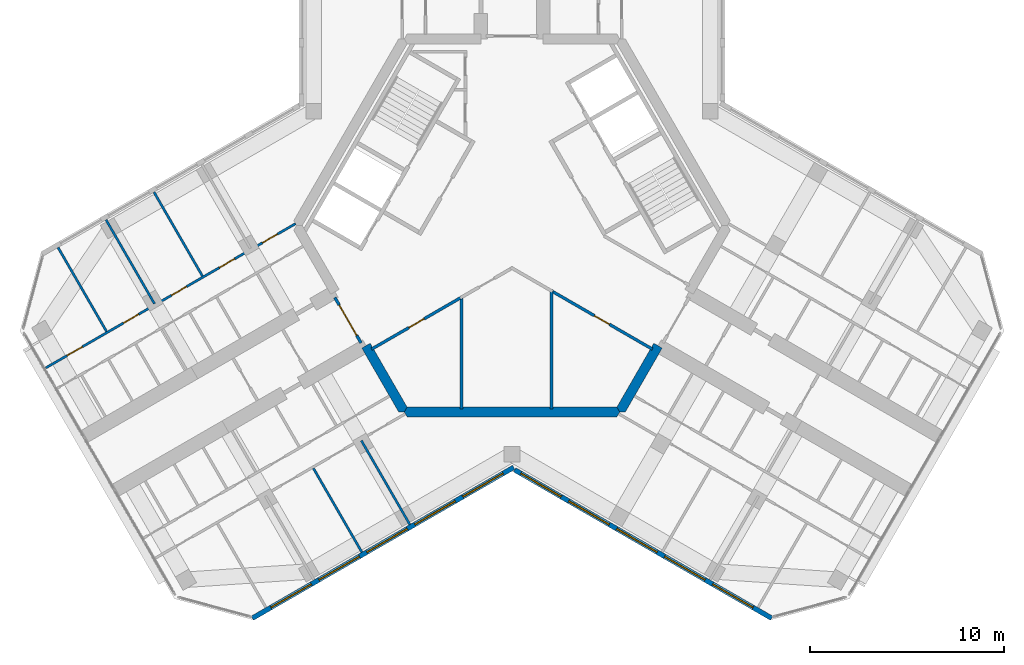
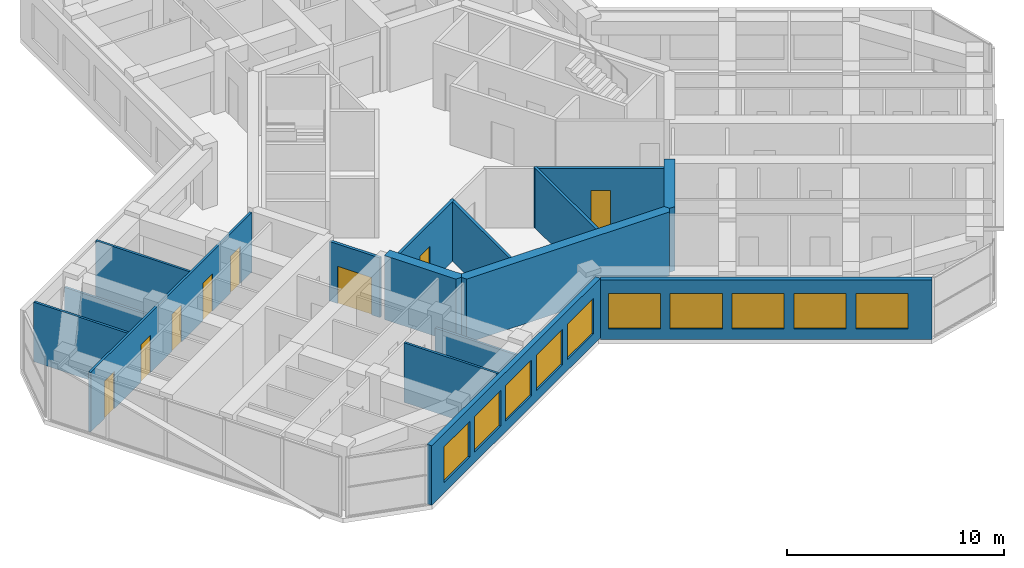
# One storey, part 8 of 14: 16 walls, 10 windows, 8 doors, 18 openings.
"""IFC4 building model written with IfcOpenShell, lengths in metres."""

from ifc_helpers import new_model, si_unit, direction, frame, frame_2d, origin, place, context, subcontext, project, spatial, polyline, rectangle, outline, extrude, material, layer, layer_set, type_object, element, fill, save


model = new_model("IFC4")

# Units and contexts
model_context = context("Model", 3, precision=1e-05, world=origin(), true_north=direction((0.0, 1.0)))
body_context = subcontext(model_context, "Body", "Model", "MODEL_VIEW")
ifc_project = project(units=[si_unit("LENGTHUNIT", "METRE"), si_unit("AREAUNIT", "SQUARE_METRE"), si_unit("VOLUMEUNIT", "CUBIC_METRE"), si_unit("PLANEANGLEUNIT", "RADIAN"), si_unit("MASSUNIT", "GRAM", prefix="KILO")], contexts=[model_context])

# Site, building, storey
site_placement = place(None, origin())
site = spatial("IfcSite", under=ifc_project, at=site_placement, CompositionType="ELEMENT")
building_placement = place(site_placement, origin())
building = spatial("IfcBuilding", under=site, at=building_placement, Name="Kosmar Iwan School Tower", CompositionType="ELEMENT")
storey_placement = place(building_placement, frame((0.0, 0.0, 289.0)))
storey = spatial("IfcBuildingStorey", under=building, at=storey_placement, Name="L73", CompositionType="ELEMENT", Elevation=289.0)

# Wall
ifc_material_1 = material(Name="Gypsum board on steel studs, fire-rated", Category="steel")
ifc_layer_1 = layer(ifc_material_1, 0.14990234375)
ifc_layer_set_1 = layer_set([ifc_layer_1], Name="Core room partition 150")
wall_type_1 = type_object("IfcWallType", Name="Core room partition 150", PredefinedType="PARTITIONING", material=ifc_layer_set_1)
wall_1_placement = place(storey_placement, frame((2.023193359375, -9.445068359375, 0.0), z_axis=(0.0, 0.0, 1.0), x_axis=(0.0, 1.0, 0.0)))
element("IfcWall", 1, at=wall_1_placement, inside=storey, type_object=wall_type_1, Name="Core room partition L73-CW5", PredefinedType="PARTITIONING", context=body_context, shape_type="SweptSolid", body=[
    extrude(rectangle(XDim=6.158203125, YDim=0.14990234375, at=frame_2d((3.0791015625, 0.0))), origin(), (0.0, 0.0, 1.0), 3.35009765625),
])

# Wall, opening, door
wall_2_placement = place(storey_placement, frame((1.9580078125, -3.324462890625, 0.0), z_axis=(0.0, 0.0, 1.0), x_axis=(0.866027957024, -0.499995577633, 0.0)))
wall_2 = element("IfcWall", 2, at=wall_2_placement, inside=storey, type_object=wall_type_1, Name="Core room partition L73-CW6", PredefinedType="PARTITIONING", context=body_context, shape_type="SweptSolid", body=[
    extrude(rectangle(XDim=6.0869140625, YDim=0.14990234375, at=frame_2d((3.04345703125, 0.0))), origin(), (0.0, 0.0, 1.0), 3.35009765625),
])
opening_1_placement = place(wall_2_placement, frame((2.6279296875, 0.0, 0.0)))
opening_1 = element("IfcOpeningElement", 3, at=opening_1_placement, cuts=wall_2, Name="Opening D14", PredefinedType="OPENING", context=body_context, shape_type="SweptSolid", body=[
    extrude(rectangle(XDim=0.89990234375, YDim=2.10009765625, at=frame_2d((0.449951171875, 1.050048828125))), frame((0.0, 0.0869140625, 0.0), z_axis=(0.0, -1.0, 0.0), x_axis=(1.0, 0.0, 0.0)), (0.0, 0.0, 1.0), 0.173828125),
])
ifc_material_2 = material(Name="Timber fire door in steel frame", Category="steel")
door_type_1 = type_object("IfcDoorType", Name="Core room door 900x2100", OperationType="SINGLE_SWING_LEFT", PredefinedType="DOOR", material=ifc_material_2)
door_1_placement = place(opening_1_placement, origin())
door_1 = element("IfcDoor", 4, at=door_1_placement, inside=storey, type_object=door_type_1, Name="Refuse and recycling room door L73 3", OperationType="SINGLE_SWING_RIGHT", OverallHeight=2.10009765625, OverallWidth=0.89990234375, PredefinedType="DOOR", context=body_context, shape_type="SweptSolid", body=[
    extrude(rectangle(XDim=0.89990234375, YDim=2.10009765625, at=frame_2d((0.449951171875, 1.050048828125))), frame((0.0, 0.02490234375, 0.0), z_axis=(0.0, -1.0, 0.0), x_axis=(1.0, 0.0, 0.0)), (0.0, 0.0, 1.0), 0.050048828125),
])
fill(opening_1, door_1)

# Wall
wall_3_placement = place(storey_placement, frame((-2.60107421875, -9.445068359375, 0.0), z_axis=(0.0, 0.0, 1.0), x_axis=(0.0, 1.0, 0.0)))
element("IfcWall", 5, at=wall_3_placement, inside=storey, type_object=wall_type_1, Name="Core room partition L73-CW7", PredefinedType="PARTITIONING", context=body_context, shape_type="SweptSolid", body=[
    extrude(rectangle(XDim=5.824462890625, YDim=0.14990234375, at=frame_2d((2.912109375, 0.0))), origin(), (0.0, 0.0, 1.0), 3.35009765625),
])

# Wall, opening, door
wall_4_placement = place(storey_placement, frame((-7.2294921875, -6.367919921875, 0.0), z_axis=(0.0, 0.0, 1.0), x_axis=(0.866025044368, 0.500000622526, 0.0)))
wall_4 = element("IfcWall", 6, at=wall_4_placement, inside=storey, type_object=wall_type_1, Name="Core room partition L73-CW10", PredefinedType="PARTITIONING", context=body_context, shape_type="SweptSolid", body=[
    extrude(rectangle(XDim=5.41943359375, YDim=0.14990234375, at=frame_2d((2.709716796875, 0.0))), origin(), (0.0, 0.0, 1.0), 3.35009765625),
])
opening_2_placement = place(wall_4_placement, frame((2.22509765625, 0.0, 0.0)))
opening_2 = element("IfcOpeningElement", 7, at=opening_2_placement, cuts=wall_4, Name="Opening D14", PredefinedType="OPENING", context=body_context, shape_type="SweptSolid", body=[
    extrude(rectangle(XDim=0.89990234375, YDim=2.10009765625, at=frame_2d((0.449951171875, 1.050048828125))), frame((0.0, 0.0869140625, 0.0), z_axis=(0.0, -1.0, 0.0), x_axis=(1.0, 0.0, 0.0)), (0.0, 0.0, 1.0), 0.173828125),
])
door_2_placement = place(opening_2_placement, origin())
door_2 = element("IfcDoor", 8, at=door_2_placement, inside=storey, type_object=door_type_1, Name="Housekeeping store door L73 5", OperationType="SINGLE_SWING_LEFT", OverallHeight=2.10009765625, OverallWidth=0.89990234375, PredefinedType="DOOR", context=body_context, shape_type="SweptSolid", body=[
    extrude(rectangle(XDim=0.89990234375, YDim=2.10009765625, at=frame_2d((0.449951171875, 1.050048828125))), frame((0.0, 0.02490234375, 0.0), z_axis=(0.0, -1.0, 0.0), x_axis=(1.0, 0.0, 0.0)), (0.0, 0.0, 1.0), 0.050048828125),
])
fill(opening_2, door_2)

# Walls
ifc_material_3 = material(Name="Concrete C50/60", Category="concrete")
ifc_layer_2 = layer(ifc_material_3, 0.5)
ifc_layer_set_2 = layer_set([ifc_layer_2], Name="Core wall 500")
wall_type_2 = type_object("IfcWallType", Name="Core wall 500", PredefinedType="SHEAR", material=ifc_layer_set_2)
wall_5_placement = place(storey_placement, origin())
element("IfcWall", 9, at=wall_5_placement, inside=storey, type_object=wall_type_2, Name="Core wall F210b", PredefinedType="SHEAR", context=body_context, shape_type="SweptSolid", body=[
    extrude(outline(polyline([(-5.831298828125, -9.60009765625), (-5.54248046875, -9.60009765625), (-5.398193359375, -9.35009765625), (-7.29736328125, -6.060546875), (-7.73046875, -6.310546875), (-5.831298828125, -9.60009765625)])), origin(), (0.0, 0.0, 1.0), 3.60009765625),
])
wall_6_placement = place(storey_placement, origin())
element("IfcWall", 10, at=wall_6_placement, inside=storey, type_object=wall_type_2, Name="Core wall F270", PredefinedType="SHEAR", context=body_context, shape_type="SweptSolid", body=[
    extrude(outline(polyline([(-5.398193359375, -9.85009765625), (5.398193359375, -9.85009765625), (5.54248046875, -9.60009765625), (5.398193359375, -9.35009765625), (-5.398193359375, -9.35009765625), (-5.54248046875, -9.60009765625), (-5.398193359375, -9.85009765625)])), origin(), (0.0, 0.0, 1.0), 3.60009765625),
])
wall_7_placement = place(storey_placement, origin())
element("IfcWall", 11, at=wall_7_placement, inside=storey, type_object=wall_type_2, Name="Core wall F330a", PredefinedType="SHEAR", context=body_context, shape_type="SweptSolid", body=[
    extrude(outline(polyline([(5.54248046875, -9.60009765625), (5.831298828125, -9.60009765625), (7.73046875, -6.310546875), (7.29736328125, -6.060546875), (5.398193359375, -9.35009765625), (5.54248046875, -9.60009765625)])), origin(), (0.0, 0.0, 1.0), 3.60009765625),
])

# Wall, opening, door
ifc_material_4 = material(Name="Steel framed glazed screen", Category="steel")
ifc_layer_3 = layer(ifc_material_4, 0.14990234375)
ifc_layer_set_3 = layer_set([ifc_layer_3], Name="Corridor screen wall 150")
wall_type_3 = type_object("IfcWallType", Name="Corridor screen wall 150", PredefinedType="PARTITIONING", material=ifc_layer_set_3)
wall_8_placement = place(storey_placement, frame((-9.11865234375, -3.705810546875, 0.0), z_axis=(0.0, 0.0, 1.0), x_axis=(0.4999416173, -0.866059108428, 0.0)))
wall_8 = element("IfcWall", 12, at=wall_8_placement, inside=storey, type_object=wall_type_3, Name="Corridor screen B L73", PredefinedType="PARTITIONING", context=body_context, shape_type="SweptSolid", body=[
    extrude(rectangle(XDim=2.699951171875, YDim=0.14990234375, at=frame_2d((1.35009765625, 0.0))), origin(), (0.0, 0.0, 1.0), 3.35009765625),
])
opening_3_placement = place(wall_8_placement, frame((0.449951171875, 0.0, 0.0)))
opening_3 = element("IfcOpeningElement", 13, at=opening_3_placement, cuts=wall_8, Name="Opening D9", PredefinedType="OPENING", context=body_context, shape_type="SweptSolid", body=[
    extrude(rectangle(XDim=1.800048828125, YDim=2.10009765625, at=frame_2d((0.89990234375, 1.050048828125))), frame((0.0, 0.0869140625, 0.0), z_axis=(0.0, -1.0, 0.0), x_axis=(1.0, 0.0, 0.0)), (0.0, 0.0, 1.0), 0.173828125),
])
ifc_material_5 = material(Name="Steel framed glazed smoke door", Category="steel")
door_type_2 = type_object("IfcDoorType", Name="Corridor smoke door pair 1800x2100", OperationType="DOUBLE_DOOR_DOUBLE_SWING", PredefinedType="DOOR", material=ifc_material_5)
door_3_placement = place(opening_3_placement, origin())
door_3 = element("IfcDoor", 14, at=door_3_placement, inside=storey, type_object=door_type_2, Name="Corridor doors B L73", OperationType="DOUBLE_DOOR_DOUBLE_SWING", OverallHeight=2.10009765625, OverallWidth=1.800048828125, PredefinedType="DOOR", context=body_context, shape_type="SweptSolid", body=[
    extrude(rectangle(XDim=1.800048828125, YDim=2.10009765625, at=frame_2d((0.89990234375, 1.050048828125))), frame((0.0, 0.02490234375, 0.0), z_axis=(0.0, -1.0, 0.0), x_axis=(1.0, 0.0, 0.0)), (0.0, 0.0, 1.0), 0.050048828125),
])
fill(opening_3, door_3)

# Walls
ifc_material_6 = material(Name="Gypsum board on steel studs", Category="steel")
ifc_layer_4 = layer(ifc_material_6, 0.1201171875)
ifc_layer_set_4 = layer_set([ifc_layer_4], Name="Dwelling partition 120")
wall_type_4 = type_object("IfcWallType", Name="Dwelling partition 120", PredefinedType="PARTITIONING", material=ifc_layer_set_4)
wall_9_placement = place(storey_placement, frame((-7.75390625, -11.070068359375, 0.0), z_axis=(0.0, 0.0, 1.0), x_axis=(0.500011847778, -0.866018563358, 0.0)))
element("IfcWall", 15, at=wall_9_placement, inside=storey, type_object=wall_type_4, Name="Partition L73-BL1-X1", PredefinedType="PARTITIONING", context=body_context, shape_type="SweptSolid", body=[
    extrude(rectangle(XDim=4.990234375, YDim=0.1201171875, at=frame_2d((2.4951171875, 0.0))), origin(), (0.0, 0.0, 1.0), 2.449951171875),
])
wall_10_placement = place(storey_placement, frame((-10.221923828125, -12.4951171875, 0.0), z_axis=(0.0, 0.0, 1.0), x_axis=(0.499996339024, -0.86602751744, 0.0)))
element("IfcWall", 16, at=wall_10_placement, inside=storey, type_object=wall_type_4, Name="Partition L73-BL1-X2", PredefinedType="PARTITIONING", context=body_context, shape_type="SweptSolid", body=[
    extrude(rectangle(XDim=4.98974609375, YDim=0.1201171875, at=frame_2d((2.494873046875, 0.0))), origin(), (0.0, 0.0, 1.0), 3.35009765625),
])

# Wall, openings, doors
wall_11_placement = place(storey_placement, frame((-11.138916015625, 0.093017578125, 0.0), z_axis=(0.0, 0.0, 1.0), x_axis=(-0.866030301974, -0.499991515992, 0.0)))
wall_11 = element("IfcWall", 17, at=wall_11_placement, inside=storey, type_object=wall_type_4, Name="Partition L73-BR1-W2", PredefinedType="PARTITIONING", context=body_context, shape_type="SweptSolid", body=[
    extrude(rectangle(XDim=14.844970703125, YDim=0.1201171875, at=frame_2d((7.42236328125, 0.0))), origin(), (0.0, 0.0, 1.0), 3.35009765625),
])
opening_4_placement = place(wall_11_placement, frame((1.074951171875, 0.0, 0.0)))
opening_4 = element("IfcOpeningElement", 18, at=opening_4_placement, cuts=wall_11, Name="Opening D2", PredefinedType="OPENING", context=body_context, shape_type="SweptSolid", body=[
    extrude(rectangle(XDim=0.89990234375, YDim=2.10009765625, at=frame_2d((0.449951171875, 1.050048828125))), frame((0.0, 0.072021484375, 0.0), z_axis=(0.0, -1.0, 0.0), x_axis=(1.0, 0.0, 0.0)), (0.0, 0.0, 1.0), 0.14404296875),
])
opening_5_placement = place(wall_11_placement, frame((3.625, 0.0, 0.0)))
opening_5 = element("IfcOpeningElement", 19, at=opening_5_placement, cuts=wall_11, Name="Opening D2", PredefinedType="OPENING", context=body_context, shape_type="SweptSolid", body=[
    extrude(rectangle(XDim=0.89990234375, YDim=2.10009765625, at=frame_2d((0.449951171875, 1.050048828125))), frame((0.0, 0.072021484375, 0.0), z_axis=(0.0, -1.0, 0.0), x_axis=(1.0, 0.0, 0.0)), (0.0, 0.0, 1.0), 0.14404296875),
])
opening_6_placement = place(wall_11_placement, frame((6.47509765625, 0.0, 0.0)))
opening_6 = element("IfcOpeningElement", 20, at=opening_6_placement, cuts=wall_11, Name="Opening D2", PredefinedType="OPENING", context=body_context, shape_type="SweptSolid", body=[
    extrude(rectangle(XDim=0.89990234375, YDim=2.10009765625, at=frame_2d((0.449951171875, 1.050048828125))), frame((0.0, 0.072021484375, 0.0), z_axis=(0.0, -1.0, 0.0), x_axis=(1.0, 0.0, 0.0)), (0.0, 0.0, 1.0), 0.14404296875),
])
opening_7_placement = place(wall_11_placement, frame((9.324951171875, 0.0, 0.0)))
opening_7 = element("IfcOpeningElement", 21, at=opening_7_placement, cuts=wall_11, Name="Opening D2", PredefinedType="OPENING", context=body_context, shape_type="SweptSolid", body=[
    extrude(rectangle(XDim=0.89990234375, YDim=2.10009765625, at=frame_2d((0.449951171875, 1.050048828125))), frame((0.0, 0.072021484375, 0.0), z_axis=(0.0, -1.0, 0.0), x_axis=(1.0, 0.0, 0.0)), (0.0, 0.0, 1.0), 0.14404296875),
])
opening_8_placement = place(wall_11_placement, frame((12.675048828125, 0.0, 0.0)))
opening_8 = element("IfcOpeningElement", 22, at=opening_8_placement, cuts=wall_11, Name="Opening D2", PredefinedType="OPENING", context=body_context, shape_type="SweptSolid", body=[
    extrude(rectangle(XDim=0.89990234375, YDim=2.10009765625, at=frame_2d((0.449951171875, 1.050048828125))), frame((0.0, 0.072021484375, 0.0), z_axis=(0.0, -1.0, 0.0), x_axis=(1.0, 0.0, 0.0)), (0.0, 0.0, 1.0), 0.14404296875),
])
ifc_material_7 = material(Name="Timber door in timber frame", Category="wood")
door_type_3 = type_object("IfcDoorType", Name="Internal door 900x2100", OperationType="SINGLE_SWING_LEFT", PredefinedType="DOOR", material=ifc_material_7)
door_4_placement = place(opening_4_placement, origin())
door_4 = element("IfcDoor", 23, at=door_4_placement, inside=storey, type_object=door_type_3, Name="Living room and kitchen door L73-BR1-F1", OperationType="SINGLE_SWING_LEFT", OverallHeight=2.10009765625, OverallWidth=0.89990234375, PredefinedType="DOOR", context=body_context, shape_type="SweptSolid", body=[
    extrude(rectangle(XDim=0.89990234375, YDim=2.10009765625, at=frame_2d((0.449951171875, 1.050048828125))), frame((0.0, 0.02490234375, 0.0), z_axis=(0.0, -1.0, 0.0), x_axis=(1.0, 0.0, 0.0)), (0.0, 0.0, 1.0), 0.050048828125),
])
fill(opening_4, door_4)
door_5_placement = place(opening_5_placement, origin())
door_5 = element("IfcDoor", 24, at=door_5_placement, inside=storey, type_object=door_type_3, Name="Study door L73-BR1-F2", OperationType="SINGLE_SWING_LEFT", OverallHeight=2.10009765625, OverallWidth=0.89990234375, PredefinedType="DOOR", context=body_context, shape_type="SweptSolid", body=[
    extrude(rectangle(XDim=0.89990234375, YDim=2.10009765625, at=frame_2d((0.449951171875, 1.050048828125))), frame((0.0, 0.02490234375, 0.0), z_axis=(0.0, -1.0, 0.0), x_axis=(1.0, 0.0, 0.0)), (0.0, 0.0, 1.0), 0.050048828125),
])
fill(opening_5, door_5)
door_6_placement = place(opening_6_placement, origin())
door_6 = element("IfcDoor", 25, at=door_6_placement, inside=storey, type_object=door_type_3, Name="Bedroom 2 door L73-BR1-F3", OperationType="SINGLE_SWING_LEFT", OverallHeight=2.10009765625, OverallWidth=0.89990234375, PredefinedType="DOOR", context=body_context, shape_type="SweptSolid", body=[
    extrude(rectangle(XDim=0.89990234375, YDim=2.10009765625, at=frame_2d((0.449951171875, 1.050048828125))), frame((0.0, 0.02490234375, 0.0), z_axis=(0.0, -1.0, 0.0), x_axis=(1.0, 0.0, 0.0)), (0.0, 0.0, 1.0), 0.050048828125),
])
fill(opening_6, door_6)
door_7_placement = place(opening_7_placement, origin())
door_7 = element("IfcDoor", 26, at=door_7_placement, inside=storey, type_object=door_type_3, Name="Dining room door L73-BR1-F4", OperationType="SINGLE_SWING_RIGHT", OverallHeight=2.10009765625, OverallWidth=0.89990234375, PredefinedType="DOOR", context=body_context, shape_type="SweptSolid", body=[
    extrude(rectangle(XDim=0.89990234375, YDim=2.10009765625, at=frame_2d((0.449951171875, 1.050048828125))), frame((0.0, 0.02490234375, 0.0), z_axis=(0.0, -1.0, 0.0), x_axis=(1.0, 0.0, 0.0)), (0.0, 0.0, 1.0), 0.050048828125),
])
fill(opening_7, door_7)
door_8_placement = place(opening_8_placement, origin())
door_8 = element("IfcDoor", 27, at=door_8_placement, inside=storey, type_object=door_type_3, Name="Bedroom 1 door L73-BR1-F5", OperationType="SINGLE_SWING_RIGHT", OverallHeight=2.10009765625, OverallWidth=0.89990234375, PredefinedType="DOOR", context=body_context, shape_type="SweptSolid", body=[
    extrude(rectangle(XDim=0.89990234375, YDim=2.10009765625, at=frame_2d((0.449951171875, 1.050048828125))), frame((0.0, 0.02490234375, 0.0), z_axis=(0.0, -1.0, 0.0), x_axis=(1.0, 0.0, 0.0)), (0.0, 0.0, 1.0), 0.050048828125),
])
fill(opening_8, door_8)

# Walls
wall_12_placement = place(storey_placement, frame((-15.931884765625, -2.60498046875, 0.0), z_axis=(0.0, 0.0, 1.0), x_axis=(-0.500011847778, 0.866018563358, 0.0)))
element("IfcWall", 28, at=wall_12_placement, inside=storey, type_object=wall_type_4, Name="Partition L73-BR1-X2", PredefinedType="PARTITIONING", context=body_context, shape_type="SweptSolid", body=[
    extrude(rectangle(XDim=4.990234375, YDim=0.1201171875, at=frame_2d((2.4951171875, 0.0))), origin(), (0.0, 0.0, 1.0), 3.35009765625),
])
wall_13_placement = place(storey_placement, frame((-18.400146484375, -4.030029296875, 0.0), z_axis=(0.0, 0.0, 1.0), x_axis=(-0.500011847778, 0.866018563358, 0.0)))
element("IfcWall", 29, at=wall_13_placement, inside=storey, type_object=wall_type_4, Name="Partition L73-BR1-X3", PredefinedType="PARTITIONING", context=body_context, shape_type="SweptSolid", body=[
    extrude(rectangle(XDim=4.990234375, YDim=0.1201171875, at=frame_2d((2.4951171875, 0.0))), origin(), (0.0, 0.0, 1.0), 2.449951171875),
])
wall_14_placement = place(storey_placement, frame((-20.868408203125, -5.455078125, 0.0), z_axis=(0.0, 0.0, 1.0), x_axis=(-0.499975153383, 0.86603974851, 0.0)))
element("IfcWall", 30, at=wall_14_placement, inside=storey, type_object=wall_type_4, Name="Partition L73-BR1-X4", PredefinedType="PARTITIONING", context=body_context, shape_type="SweptSolid", body=[
    extrude(rectangle(XDim=4.989990234375, YDim=0.1201171875, at=frame_2d((2.4951171875, 0.0))), origin(), (0.0, 0.0, 1.0), 3.35009765625),
])

# Wall, openings, windows
ifc_material_8 = material(Name="Black aluminium rainscreen on insulated framing", Category="aluminium")
ifc_layer_5 = layer(ifc_material_8, 0.25)
ifc_layer_set_5 = layer_set([ifc_layer_5], Name="External wall rainscreen 250")
wall_type_5 = type_object("IfcWallType", Name="External wall rainscreen 250", PredefinedType="SOLIDWALL", material=ifc_layer_set_5)
wall_15_placement = place(storey_placement, frame((0.088134765625, -12.44873046875, 0.0), z_axis=(0.0, 0.0, 1.0), x_axis=(-0.866029894971, -0.499992220956, 0.0)))
wall_15 = element("IfcWall", 31, at=wall_15_placement, inside=storey, type_object=wall_type_5, Name="External wall BL L73", PredefinedType="SOLIDWALL", context=body_context, shape_type="SweptSolid", body=[
    extrude(rectangle(XDim=15.537353515625, YDim=0.25, at=frame_2d((7.7685546875, 0.0))), origin(), (0.0, 0.0, 1.0), 3.35009765625),
])
opening_9_placement = place(wall_15_placement, frame((0.626953125, 0.0, 0.60009765625)))
opening_9 = element("IfcOpeningElement", 32, at=opening_9_placement, cuts=wall_15, Name="Opening W6", PredefinedType="OPENING", context=body_context, shape_type="SweptSolid", body=[
    extrude(rectangle(XDim=2.39990234375, YDim=2.0, at=frame_2d((1.199951171875, 1.0))), frame((0.0, 0.136962890625, 0.0), z_axis=(0.0, -1.0, 0.0), x_axis=(1.0, 0.0, 0.0)), (0.0, 0.0, 1.0), 0.27392578125),
])
opening_10_placement = place(wall_15_placement, frame((3.47705078125, 0.0, 0.60009765625)))
opening_10 = element("IfcOpeningElement", 33, at=opening_10_placement, cuts=wall_15, Name="Opening W6", PredefinedType="OPENING", context=body_context, shape_type="SweptSolid", body=[
    extrude(rectangle(XDim=2.39990234375, YDim=2.0, at=frame_2d((1.199951171875, 1.0))), frame((0.0, 0.136962890625, 0.0), z_axis=(0.0, -1.0, 0.0), x_axis=(1.0, 0.0, 0.0)), (0.0, 0.0, 1.0), 0.27392578125),
])
opening_11_placement = place(wall_15_placement, frame((6.326904296875, 0.0, 0.60009765625)))
opening_11 = element("IfcOpeningElement", 34, at=opening_11_placement, cuts=wall_15, Name="Opening W6", PredefinedType="OPENING", context=body_context, shape_type="SweptSolid", body=[
    extrude(rectangle(XDim=2.39990234375, YDim=2.0, at=frame_2d((1.199951171875, 1.0))), frame((0.0, 0.136962890625, 0.0), z_axis=(0.0, -1.0, 0.0), x_axis=(1.0, 0.0, 0.0)), (0.0, 0.0, 1.0), 0.27392578125),
])
opening_12_placement = place(wall_15_placement, frame((9.177001953125, 0.0, 0.60009765625)))
opening_12 = element("IfcOpeningElement", 35, at=opening_12_placement, cuts=wall_15, Name="Opening W6", PredefinedType="OPENING", context=body_context, shape_type="SweptSolid", body=[
    extrude(rectangle(XDim=2.39990234375, YDim=2.0, at=frame_2d((1.199951171875, 1.0))), frame((0.0, 0.136962890625, 0.0), z_axis=(0.0, -1.0, 0.0), x_axis=(1.0, 0.0, 0.0)), (0.0, 0.0, 1.0), 0.27392578125),
])
opening_13_placement = place(wall_15_placement, frame((12.027099609375, 0.0, 0.60009765625)))
opening_13 = element("IfcOpeningElement", 36, at=opening_13_placement, cuts=wall_15, Name="Opening W6", PredefinedType="OPENING", context=body_context, shape_type="SweptSolid", body=[
    extrude(rectangle(XDim=2.39990234375, YDim=2.0, at=frame_2d((1.199951171875, 1.0))), frame((0.0, 0.136962890625, 0.0), z_axis=(0.0, -1.0, 0.0), x_axis=(1.0, 0.0, 0.0)), (0.0, 0.0, 1.0), 0.27392578125),
])
ifc_material_9 = material(Name="Black aluminium frame with dark triple glazing", Category="aluminium")
window_type = type_object("IfcWindowType", Name="Window 2400x2000", PartitioningType="SINGLE_PANEL", PredefinedType="WINDOW", material=ifc_material_9)
window_1_placement = place(opening_9_placement, origin())
window_1 = element("IfcWindow", 37, at=window_1_placement, inside=storey, type_object=window_type, Name="Window BL L73 -1", OverallHeight=2.0, OverallWidth=2.39990234375, PartitioningType="SINGLE_PANEL", PredefinedType="WINDOW", context=body_context, shape_type="SweptSolid", body=[
    extrude(rectangle(XDim=2.39990234375, YDim=2.0, at=frame_2d((1.199951171875, 1.0))), frame((0.0, 0.030029296875, 0.0), z_axis=(0.0, -1.0, 0.0), x_axis=(1.0, 0.0, 0.0)), (0.0, 0.0, 1.0), 0.06005859375),
])
fill(opening_9, window_1)
window_2_placement = place(opening_10_placement, origin())
window_2 = element("IfcWindow", 38, at=window_2_placement, inside=storey, type_object=window_type, Name="Window BL L73 0", OverallHeight=2.0, OverallWidth=2.39990234375, PartitioningType="SINGLE_PANEL", PredefinedType="WINDOW", context=body_context, shape_type="SweptSolid", body=[
    extrude(rectangle(XDim=2.39990234375, YDim=2.0, at=frame_2d((1.199951171875, 1.0))), frame((0.0, 0.030029296875, 0.0), z_axis=(0.0, -1.0, 0.0), x_axis=(1.0, 0.0, 0.0)), (0.0, 0.0, 1.0), 0.06005859375),
])
fill(opening_10, window_2)
window_3_placement = place(opening_11_placement, origin())
window_3 = element("IfcWindow", 39, at=window_3_placement, inside=storey, type_object=window_type, Name="Window BL L73 1", OverallHeight=2.0, OverallWidth=2.39990234375, PartitioningType="SINGLE_PANEL", PredefinedType="WINDOW", context=body_context, shape_type="SweptSolid", body=[
    extrude(rectangle(XDim=2.39990234375, YDim=2.0, at=frame_2d((1.199951171875, 1.0))), frame((0.0, 0.030029296875, 0.0), z_axis=(0.0, -1.0, 0.0), x_axis=(1.0, 0.0, 0.0)), (0.0, 0.0, 1.0), 0.06005859375),
])
fill(opening_11, window_3)
window_4_placement = place(opening_12_placement, origin())
window_4 = element("IfcWindow", 40, at=window_4_placement, inside=storey, type_object=window_type, Name="Window BL L73 2", OverallHeight=2.0, OverallWidth=2.39990234375, PartitioningType="SINGLE_PANEL", PredefinedType="WINDOW", context=body_context, shape_type="SweptSolid", body=[
    extrude(rectangle(XDim=2.39990234375, YDim=2.0, at=frame_2d((1.199951171875, 1.0))), frame((0.0, 0.030029296875, 0.0), z_axis=(0.0, -1.0, 0.0), x_axis=(1.0, 0.0, 0.0)), (0.0, 0.0, 1.0), 0.06005859375),
])
fill(opening_12, window_4)
window_5_placement = place(opening_13_placement, origin())
window_5 = element("IfcWindow", 41, at=window_5_placement, inside=storey, type_object=window_type, Name="Window BL L73 3", OverallHeight=2.0, OverallWidth=2.39990234375, PartitioningType="SINGLE_PANEL", PredefinedType="WINDOW", context=body_context, shape_type="SweptSolid", body=[
    extrude(rectangle(XDim=2.39990234375, YDim=2.0, at=frame_2d((1.199951171875, 1.0))), frame((0.0, 0.030029296875, 0.0), z_axis=(0.0, -1.0, 0.0), x_axis=(1.0, 0.0, 0.0)), (0.0, 0.0, 1.0), 0.06005859375),
])
fill(opening_13, window_5)

wall_16_placement = place(storey_placement, frame((0.137939453125, -12.5791015625, 0.0), z_axis=(0.0, 0.0, 1.0), x_axis=(0.866025637253, -0.499999595621, 0.0)))
wall_16 = element("IfcWall", 42, at=wall_16_placement, inside=storey, type_object=wall_type_5, Name="External wall CR L73", PredefinedType="SOLIDWALL", context=body_context, shape_type="SweptSolid", body=[
    extrude(rectangle(XDim=15.2763671875, YDim=0.25, at=frame_2d((7.63818359375, 0.0))), origin(), (0.0, 0.0, 1.0), 3.35009765625),
])
opening_14_placement = place(wall_16_placement, frame((0.365966796875, 0.0, 0.60009765625)))
opening_14 = element("IfcOpeningElement", 43, at=opening_14_placement, cuts=wall_16, Name="Opening W6", PredefinedType="OPENING", context=body_context, shape_type="SweptSolid", body=[
    extrude(rectangle(XDim=2.39990234375, YDim=2.0, at=frame_2d((1.199951171875, 1.0))), frame((0.0, 0.136962890625, 0.0), z_axis=(0.0, -1.0, 0.0), x_axis=(1.0, 0.0, 0.0)), (0.0, 0.0, 1.0), 0.27392578125),
])
opening_15_placement = place(wall_16_placement, frame((3.216064453125, 0.0, 0.60009765625)))
opening_15 = element("IfcOpeningElement", 44, at=opening_15_placement, cuts=wall_16, Name="Opening W6", PredefinedType="OPENING", context=body_context, shape_type="SweptSolid", body=[
    extrude(rectangle(XDim=2.39990234375, YDim=2.0, at=frame_2d((1.199951171875, 1.0))), frame((0.0, 0.136962890625, 0.0), z_axis=(0.0, -1.0, 0.0), x_axis=(1.0, 0.0, 0.0)), (0.0, 0.0, 1.0), 0.27392578125),
])
opening_16_placement = place(wall_16_placement, frame((6.06591796875, 0.0, 0.60009765625)))
opening_16 = element("IfcOpeningElement", 45, at=opening_16_placement, cuts=wall_16, Name="Opening W6", PredefinedType="OPENING", context=body_context, shape_type="SweptSolid", body=[
    extrude(rectangle(XDim=2.39990234375, YDim=2.0, at=frame_2d((1.199951171875, 1.0))), frame((0.0, 0.136962890625, 0.0), z_axis=(0.0, -1.0, 0.0), x_axis=(1.0, 0.0, 0.0)), (0.0, 0.0, 1.0), 0.27392578125),
])
opening_17_placement = place(wall_16_placement, frame((8.916015625, 0.0, 0.60009765625)))
opening_17 = element("IfcOpeningElement", 46, at=opening_17_placement, cuts=wall_16, Name="Opening W6", PredefinedType="OPENING", context=body_context, shape_type="SweptSolid", body=[
    extrude(rectangle(XDim=2.39990234375, YDim=2.0, at=frame_2d((1.199951171875, 1.0))), frame((0.0, 0.136962890625, 0.0), z_axis=(0.0, -1.0, 0.0), x_axis=(1.0, 0.0, 0.0)), (0.0, 0.0, 1.0), 0.27392578125),
])
opening_18_placement = place(wall_16_placement, frame((11.76611328125, 0.0, 0.60009765625)))
opening_18 = element("IfcOpeningElement", 47, at=opening_18_placement, cuts=wall_16, Name="Opening W6", PredefinedType="OPENING", context=body_context, shape_type="SweptSolid", body=[
    extrude(rectangle(XDim=2.39990234375, YDim=2.0, at=frame_2d((1.199951171875, 1.0))), frame((0.0, 0.136962890625, 0.0), z_axis=(0.0, -1.0, 0.0), x_axis=(1.0, 0.0, 0.0)), (0.0, 0.0, 1.0), 0.27392578125),
])
window_6_placement = place(opening_14_placement, origin())
window_6 = element("IfcWindow", 48, at=window_6_placement, inside=storey, type_object=window_type, Name="Window CR L73 -1", OverallHeight=2.0, OverallWidth=2.39990234375, PartitioningType="SINGLE_PANEL", PredefinedType="WINDOW", context=body_context, shape_type="SweptSolid", body=[
    extrude(rectangle(XDim=2.39990234375, YDim=2.0, at=frame_2d((1.199951171875, 1.0))), frame((0.0, 0.030029296875, 0.0), z_axis=(0.0, -1.0, 0.0), x_axis=(1.0, 0.0, 0.0)), (0.0, 0.0, 1.0), 0.06005859375),
])
fill(opening_14, window_6)
window_7_placement = place(opening_15_placement, origin())
window_7 = element("IfcWindow", 49, at=window_7_placement, inside=storey, type_object=window_type, Name="Window CR L73 0", OverallHeight=2.0, OverallWidth=2.39990234375, PartitioningType="SINGLE_PANEL", PredefinedType="WINDOW", context=body_context, shape_type="SweptSolid", body=[
    extrude(rectangle(XDim=2.39990234375, YDim=2.0, at=frame_2d((1.199951171875, 1.0))), frame((0.0, 0.030029296875, 0.0), z_axis=(0.0, -1.0, 0.0), x_axis=(1.0, 0.0, 0.0)), (0.0, 0.0, 1.0), 0.06005859375),
])
fill(opening_15, window_7)
window_8_placement = place(opening_16_placement, origin())
window_8 = element("IfcWindow", 50, at=window_8_placement, inside=storey, type_object=window_type, Name="Window CR L73 1", OverallHeight=2.0, OverallWidth=2.39990234375, PartitioningType="SINGLE_PANEL", PredefinedType="WINDOW", context=body_context, shape_type="SweptSolid", body=[
    extrude(rectangle(XDim=2.39990234375, YDim=2.0, at=frame_2d((1.199951171875, 1.0))), frame((0.0, 0.030029296875, 0.0), z_axis=(0.0, -1.0, 0.0), x_axis=(1.0, 0.0, 0.0)), (0.0, 0.0, 1.0), 0.06005859375),
])
fill(opening_16, window_8)
window_9_placement = place(opening_17_placement, origin())
window_9 = element("IfcWindow", 51, at=window_9_placement, inside=storey, type_object=window_type, Name="Window CR L73 2", OverallHeight=2.0, OverallWidth=2.39990234375, PartitioningType="SINGLE_PANEL", PredefinedType="WINDOW", context=body_context, shape_type="SweptSolid", body=[
    extrude(rectangle(XDim=2.39990234375, YDim=2.0, at=frame_2d((1.199951171875, 1.0))), frame((0.0, 0.030029296875, 0.0), z_axis=(0.0, -1.0, 0.0), x_axis=(1.0, 0.0, 0.0)), (0.0, 0.0, 1.0), 0.06005859375),
])
fill(opening_17, window_9)
window_10_placement = place(opening_18_placement, origin())
window_10 = element("IfcWindow", 52, at=window_10_placement, inside=storey, type_object=window_type, Name="Window CR L73 3", OverallHeight=2.0, OverallWidth=2.39990234375, PartitioningType="SINGLE_PANEL", PredefinedType="WINDOW", context=body_context, shape_type="SweptSolid", body=[
    extrude(rectangle(XDim=2.39990234375, YDim=2.0, at=frame_2d((1.199951171875, 1.0))), frame((0.0, 0.030029296875, 0.0), z_axis=(0.0, -1.0, 0.0), x_axis=(1.0, 0.0, 0.0)), (0.0, 0.0, 1.0), 0.06005859375),
])
fill(opening_18, window_10)

save(model, "model.ifc")
